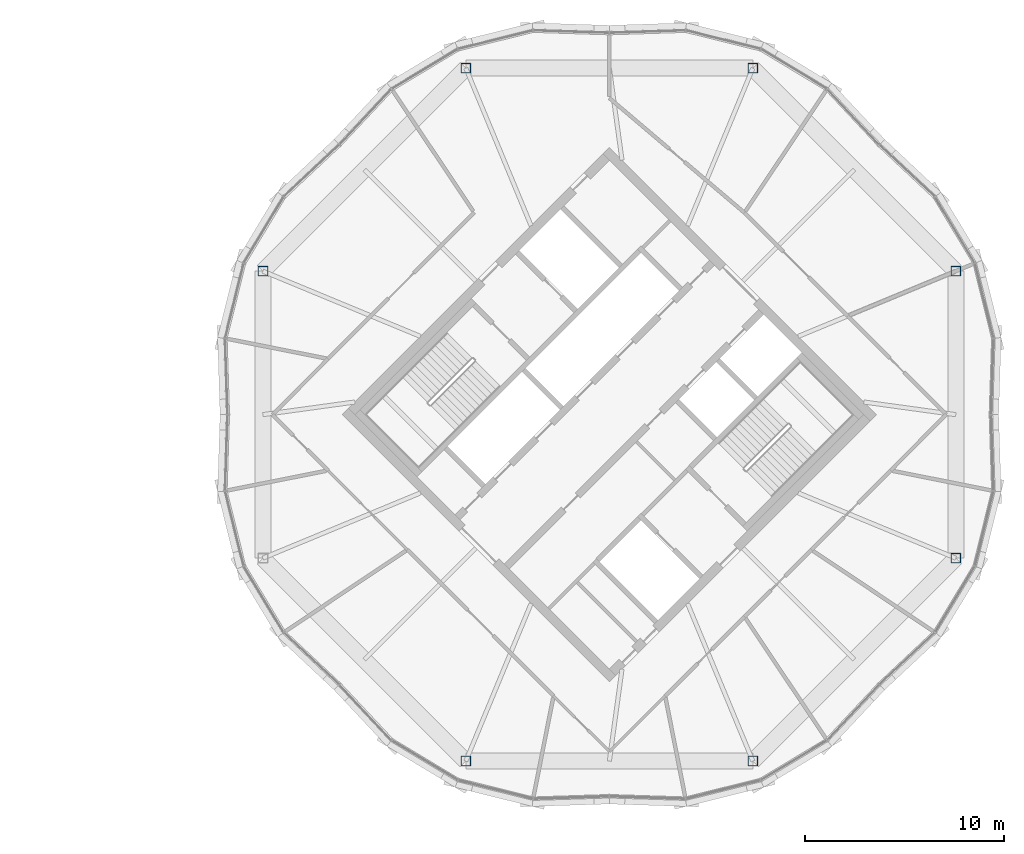
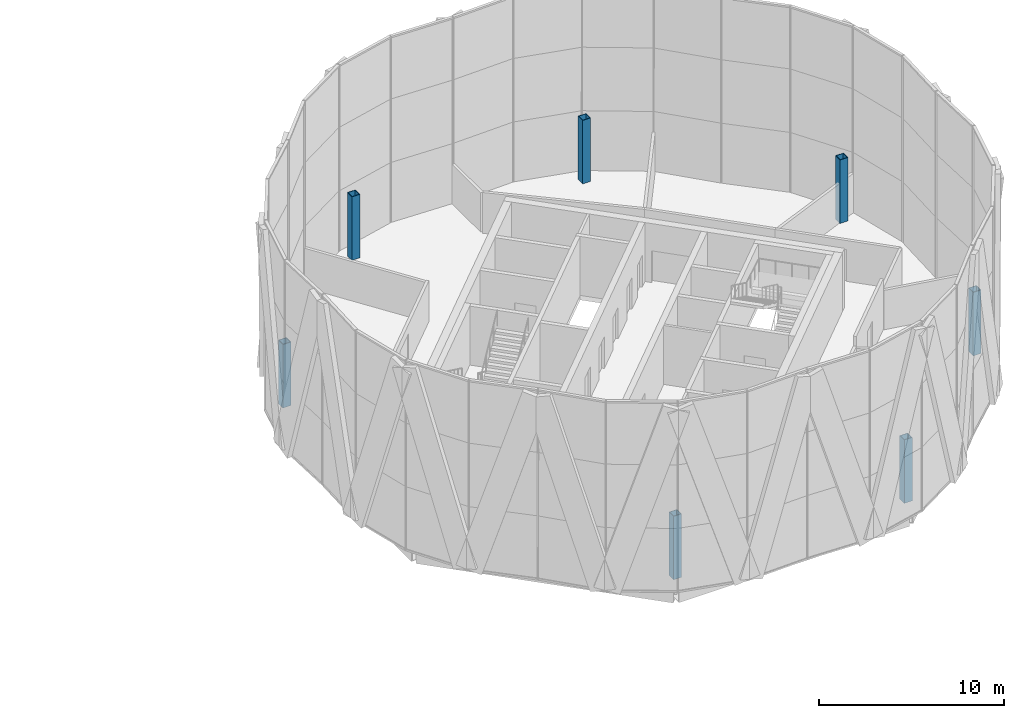
# One storey, part 2 of 23: 7 columns.
"""IFC4 building model written with IfcOpenShell, lengths in metres."""

from ifc_helpers import new_model, si_unit, direction, frame, origin, origin_2d, place, context, subcontext, project, spatial, hollow_rectangle, extrude, material, material_profile, profile_set, type_object, element, save


model = new_model("IFC4")

# Units and contexts
model_context = context("Model", 3, precision=1e-05, world=origin(), true_north=direction((0.0, 1.0)))
body_context = subcontext(model_context, "Body", "Model", "MODEL_VIEW")
ifc_project = project(units=[si_unit("LENGTHUNIT", "METRE"), si_unit("AREAUNIT", "SQUARE_METRE"), si_unit("VOLUMEUNIT", "CUBIC_METRE"), si_unit("PLANEANGLEUNIT", "RADIAN"), si_unit("MASSUNIT", "GRAM", prefix="KILO")], contexts=[model_context])

# Site, building, storey
site_placement = place(None, origin())
site = spatial("IfcSite", under=ifc_project, at=site_placement, CompositionType="ELEMENT")
building_placement = place(site_placement, origin())
building = spatial("IfcBuilding", under=site, at=building_placement, Name="Ogive Gate Towers", CompositionType="ELEMENT")
storey_placement = place(building_placement, frame((0.0, 0.0, 256.199951171875)))
storey = spatial("IfcBuildingStorey", under=building, at=storey_placement, Name="L60", CompositionType="ELEMENT", Elevation=256.199951171875)

# Columns
ifc_material = material(Name="Steel SM460", Category="steel")
ifc_material_profile = material_profile(ifc_material, hollow_rectangle(XDim=0.5, YDim=0.5, WallThickness=0.030029296875, at=origin_2d()), Name="BX 500x500x30")
ifc_profile_set = profile_set([ifc_material_profile], Name="Steel SM460")
column_type = type_object("IfcColumnType", Name="Perimeter post BX 500x500x30", PredefinedType="COLUMN", material=ifc_profile_set)
for number, where, z_axis, x_axis, name in (
    (1, (53.42431640625, 7.217529296875, 0.0), (0.0, 0.0, 1.0), (1.0, 0.0, 0.0), "T2/L60/SCL001"),
    (2, (43.217529296875, 17.42431640625, 0.0), (0.0, 0.0, 1.0), (1.0, 0.0, 0.0), "T2/L60/SCL002"),
    (3, (28.782470703125, 17.42431640625, 0.0), (0.0, 0.0, 1.0), (1.0, 0.0, 0.0), "T2/L60/SCL003"),
    (4, (18.57568359375, 7.217529296875, 0.0), (0.0, 0.0, 1.0), (1.0, 0.0, 0.0), "T2/L60/SCL004"),
    (5, (28.782470703125, -17.42431640625, 0.0), (0.0, 0.0, 1.0), (1.0, 0.0, 0.0), "T2/L60/SCL006"),
    (6, (43.217529296875, -17.42431640625, 0.0), (0.0, 0.0, 1.0), (1.0, 0.0, 0.0), "T2/L60/SCL007"),
    (7, (53.42431640625, -7.217529296875, 0.0), (0.0, 0.0, 1.0), (1.0, 0.0, 0.0), "T2/L60/SCL008"),
):
    element("IfcColumn", number, at=place(storey_placement, frame(where, z_axis=z_axis, x_axis=x_axis)), inside=storey, type_object=column_type, Name=name, PredefinedType="COLUMN", context=body_context, shape_type="SweptSolid", body=[
        extrude(hollow_rectangle(XDim=0.5, YDim=0.5, WallThickness=0.030029296875, at=origin_2d()), origin(), (0.0, 0.0, 1.0), 4.199951171875),
    ])

save(model, "model.ifc")
